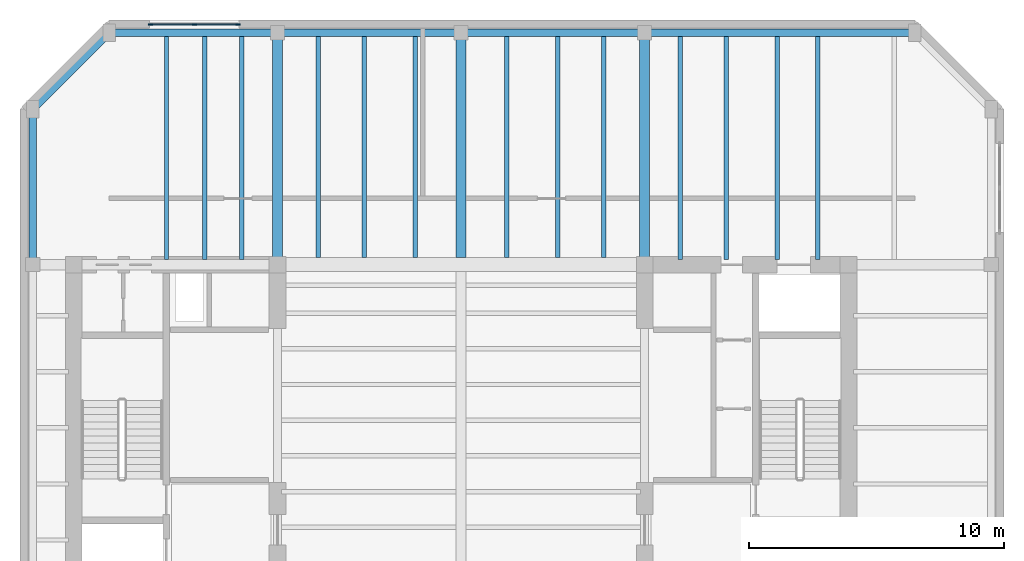
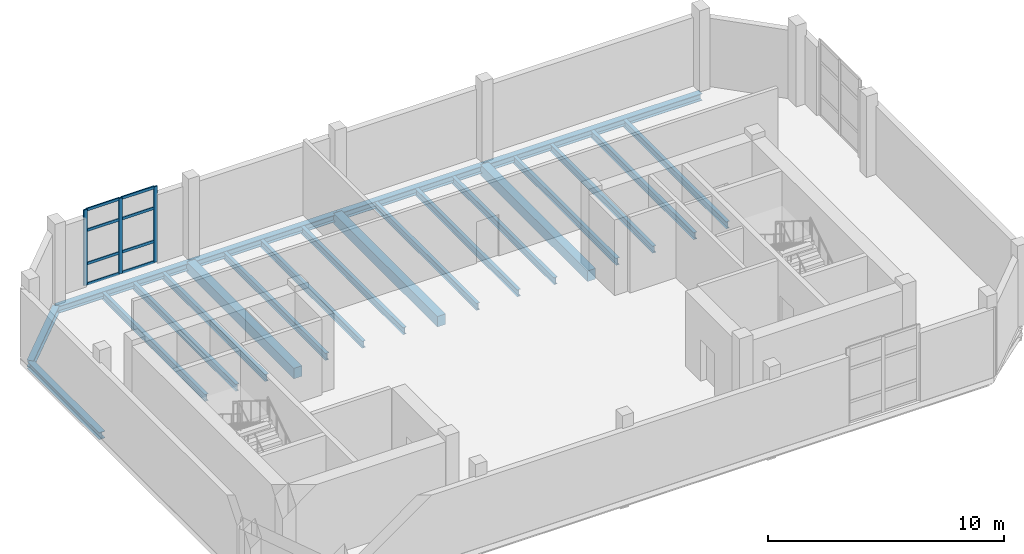
# One storey, part 3 of 7: 22 beams, 11 members, 1 element without a shape of its own.
"""IFC4 building model written with IfcOpenShell, lengths in metres."""

from ifc_helpers import new_model, si_unit, direction, frame, origin, origin_2d, place, context, subcontext, project, spatial, rectangle, i_section, extrude, material, layer, layer_set, material_profile, profile_set, type_object, element, aggregate, save


model = new_model("IFC4")

# Units and contexts
model_context = context("Model", 3, precision=1e-05, world=origin(), true_north=direction((0.0, 1.0)))
body_context = subcontext(model_context, "Body", "Model", "MODEL_VIEW")
ifc_project = project(units=[si_unit("LENGTHUNIT", "METRE"), si_unit("AREAUNIT", "SQUARE_METRE"), si_unit("VOLUMEUNIT", "CUBIC_METRE"), si_unit("PLANEANGLEUNIT", "RADIAN"), si_unit("MASSUNIT", "GRAM", prefix="KILO")], contexts=[model_context])

# Site, building, storey
site_placement = place(None, origin())
site = spatial("IfcSite", under=ifc_project, at=site_placement, CompositionType="ELEMENT")
building_placement = place(site_placement, origin())
building = spatial("IfcBuilding", under=site, at=building_placement, Name="Kranthara Brick Stack", CompositionType="ELEMENT")
storey_placement = place(building_placement, frame((0.0, 0.0, 296.39990234375)))
storey = spatial("IfcBuildingStorey", under=building, at=storey_placement, Name="L78", CompositionType="ELEMENT", Elevation=296.39990234375)

# Beams
ifc_material_1 = material(Name="Post-tensioned concrete C45/55", Category="concrete")
ifc_material_profile_1 = material_profile(ifc_material_1, rectangle(XDim=0.39990234375, YDim=0.550048828125, at=origin_2d()), Name="PT 400x550")
ifc_profile_set_1 = profile_set([ifc_material_profile_1], Name="Post-tensioned concrete C45/55")
beam_type_1 = type_object("IfcBeamType", Name="BM-FLR-PT550", PredefinedType="BEAM", material=ifc_profile_set_1)
beam_1_placement = place(storey_placement, frame((20.800048828125, 33.60009765625, -0.554931640625), z_axis=(0.0, 1.0, 0.0), x_axis=(-1.0, 0.0, 0.0)))
element("IfcBeam", 1, at=beam_1_placement, inside=storey, type_object=beam_type_1, Name="L78 Primary Grid Girder 022", PredefinedType="BEAM", context=body_context, shape_type="SweptSolid", body=[
    extrude(rectangle(XDim=0.39990234375, YDim=0.550048828125, at=origin_2d()), origin(), (0.0, 0.0, 1.0), 9.099853515625),
])
beam_2_placement = place(storey_placement, frame((28.0, 33.875, -0.554931640625), z_axis=(0.0, 1.0, 0.0), x_axis=(-1.0, 0.0, 0.0)))
element("IfcBeam", 2, at=beam_2_placement, inside=storey, type_object=beam_type_1, Name="L78 Primary Grid Girder 025", PredefinedType="BEAM", context=body_context, shape_type="SweptSolid", body=[
    extrude(rectangle(XDim=0.39990234375, YDim=0.550048828125, at=origin_2d()), origin(), (0.0, 0.0, 1.0), 8.824951171875),
])
beam_3_placement = place(storey_placement, frame((35.199951171875, 33.60009765625, -0.554931640625), z_axis=(0.0, 1.0, 0.0), x_axis=(-1.0, 0.0, 0.0)))
element("IfcBeam", 3, at=beam_3_placement, inside=storey, type_object=beam_type_1, Name="L78 Primary Grid Girder 027", PredefinedType="BEAM", context=body_context, shape_type="SweptSolid", body=[
    extrude(rectangle(XDim=0.39990234375, YDim=0.550048828125, at=origin_2d()), origin(), (0.0, 0.0, 1.0), 9.099853515625),
])
ifc_material_2 = material(Name="Steel S355", Category="steel")
ifc_material_profile_2 = material_profile(ifc_material_2, i_section(OverallWidth=0.169921875, OverallDepth=0.360107421875, WebThickness=0.008056640625, FlangeThickness=0.0126953125, at=origin_2d()), Name="IPE 360")
ifc_profile_set_2 = profile_set([ifc_material_profile_2], Name="Steel S355")
beam_type_2 = type_object("IfcBeamType", Name="BM-JST-IPE360", PredefinedType="JOIST", material=ifc_profile_set_2)
for number, where, z_axis, x_axis, name in (
    (4, (16.449951171875, 33.800048828125, -0.4599609375), (0.0, 1.0, 0.0), (-1.0, 0.0, 0.0), "L78 North Wing Floor Joist 051"),
    (5, (17.949951171875, 33.800048828125, -0.4599609375), (0.0, 1.0, 0.0), (-1.0, 0.0, 0.0), "L78 North Wing Floor Joist 053"),
    (6, (19.39990234375, 33.800048828125, -0.4599609375), (0.0, 1.0, 0.0), (-1.0, 0.0, 0.0), "L78 North Wing Floor Joist 055"),
):
    element("IfcBeam", number, at=place(storey_placement, frame(where, z_axis=z_axis, x_axis=x_axis)), inside=storey, type_object=beam_type_2, Name=name, PredefinedType="JOIST", context=body_context, shape_type="SweptSolid", body=[
        extrude(i_section(OverallWidth=0.169921875, OverallDepth=0.360107421875, WebThickness=0.008056640625, FlangeThickness=0.0126953125, at=origin_2d()), origin(), (0.0, 0.0, 1.0), 8.75),
    ])
for number, where, z_axis, x_axis, name in (
    (7, (22.39990234375, 33.875, -0.4599609375), (0.0, 1.0, 0.0), (-1.0, 0.0, 0.0), "L78 North Wing Floor Joist 057"),
    (8, (24.199951171875, 33.875, -0.4599609375), (0.0, 1.0, 0.0), (-1.0, 0.0, 0.0), "L78 North Wing Floor Joist 059"),
    (9, (26.199951171875, 33.875, -0.4599609375), (0.0, 1.0, 0.0), (-1.0, 0.0, 0.0), "L78 North Wing Floor Joist 061"),
    (10, (29.800048828125, 33.875, -0.4599609375), (0.0, 1.0, 0.0), (-1.0, 0.0, 0.0), "L78 North Wing Floor Joist 063"),
    (11, (31.800048828125, 33.875, -0.4599609375), (0.0, 1.0, 0.0), (-1.0, 0.0, 0.0), "L78 North Wing Floor Joist 065"),
    (12, (33.60009765625, 33.875, -0.4599609375), (0.0, 1.0, 0.0), (-1.0, 0.0, 0.0), "L78 North Wing Floor Joist 067"),
):
    element("IfcBeam", number, at=place(storey_placement, frame(where, z_axis=z_axis, x_axis=x_axis)), inside=storey, type_object=beam_type_2, Name=name, PredefinedType="JOIST", context=body_context, shape_type="SweptSolid", body=[
        extrude(i_section(OverallWidth=0.169921875, OverallDepth=0.360107421875, WebThickness=0.008056640625, FlangeThickness=0.0126953125, at=origin_2d()), origin(), (0.0, 0.0, 1.0), 8.675048828125),
    ])
for number, where, z_axis, x_axis, name in (
    (13, (36.60009765625, 33.800048828125, -0.4599609375), (0.0, 1.0, 0.0), (-1.0, 0.0, 0.0), "L78 North Wing Floor Joist 069"),
    (14, (38.39990234375, 33.800048828125, -0.4599609375), (0.0, 1.0, 0.0), (-1.0, 0.0, 0.0), "L78 North Wing Floor Joist 071"),
    (15, (40.39990234375, 33.800048828125, -0.4599609375), (0.0, 1.0, 0.0), (-1.0, 0.0, 0.0), "L78 North Wing Floor Joist 073"),
    (16, (42.0, 33.800048828125, -0.4599609375), (0.0, 1.0, 0.0), (-1.0, 0.0, 0.0), "L78 North Wing Floor Joist 075"),
):
    element("IfcBeam", number, at=place(storey_placement, frame(where, z_axis=z_axis, x_axis=x_axis)), inside=storey, type_object=beam_type_2, Name=name, PredefinedType="JOIST", context=body_context, shape_type="SweptSolid", body=[
        extrude(i_section(OverallWidth=0.169921875, OverallDepth=0.360107421875, WebThickness=0.008056640625, FlangeThickness=0.0126953125, at=origin_2d()), origin(), (0.0, 0.0, 1.0), 8.75),
    ])
ifc_material_3 = material(Name="Steel S355", Category="steel")
ifc_material_profile_3 = material_profile(ifc_material_3, i_section(OverallWidth=0.300048828125, OverallDepth=0.360107421875, WebThickness=0.012451171875, FlangeThickness=0.0224609375, at=origin_2d()), Name="HEB 360")
ifc_profile_set_3 = profile_set([ifc_material_profile_3], Name="Steel S355")
beam_type_3 = type_object("IfcBeamType", Name="BM-STL-HEB360", PredefinedType="SPANDREL", material=ifc_profile_set_3)
beam_4_placement = place(storey_placement, frame((14.199951171875, 42.699951171875, -0.4599609375), z_axis=(1.0, 0.0, 0.0), x_axis=(0.0, 1.0, 0.0)))
element("IfcBeam", 17, at=beam_4_placement, inside=storey, type_object=beam_type_3, Name="L78 Perimeter Spandrel Beam 009", PredefinedType="SPANDREL", context=body_context, shape_type="SweptSolid", body=[
    extrude(i_section(OverallWidth=0.300048828125, OverallDepth=0.360107421875, WebThickness=0.012451171875, FlangeThickness=0.0224609375, at=origin_2d()), origin(), (0.0, 0.0, 1.0), 6.60009765625),
])
for number, where, z_axis, x_axis, name in (
    (18, (20.800048828125, 42.699951171875, -0.4599609375), (1.0, 0.0, 0.0), (0.0, 1.0, 0.0), "L78 Perimeter Spandrel Beam 010"),
    (19, (28.0, 42.699951171875, -0.4599609375), (1.0, 0.0, 0.0), (0.0, 1.0, 0.0), "L78 Perimeter Spandrel Beam 011"),
):
    element("IfcBeam", number, at=place(storey_placement, frame(where, z_axis=z_axis, x_axis=x_axis)), inside=storey, type_object=beam_type_3, Name=name, PredefinedType="SPANDREL", context=body_context, shape_type="SweptSolid", body=[
        extrude(i_section(OverallWidth=0.300048828125, OverallDepth=0.360107421875, WebThickness=0.012451171875, FlangeThickness=0.0224609375, at=origin_2d()), origin(), (0.0, 0.0, 1.0), 7.199951171875),
    ])
beam_5_placement = place(storey_placement, frame((35.199951171875, 42.699951171875, -0.4599609375), z_axis=(1.0, 0.0, 0.0), x_axis=(0.0, 1.0, 0.0)))
element("IfcBeam", 20, at=beam_5_placement, inside=storey, type_object=beam_type_3, Name="L78 Perimeter Spandrel Beam 012", PredefinedType="SPANDREL", context=body_context, shape_type="SweptSolid", body=[
    extrude(i_section(OverallWidth=0.300048828125, OverallDepth=0.360107421875, WebThickness=0.012451171875, FlangeThickness=0.0224609375, at=origin_2d()), origin(), (0.0, 0.0, 1.0), 10.60009765625),
])
beam_6_placement = place(storey_placement, frame((11.199951171875, 33.60009765625, -0.4599609375), z_axis=(0.0, 1.0, 0.0), x_axis=(-1.0, 0.0, 0.0)))
element("IfcBeam", 21, at=beam_6_placement, inside=storey, type_object=beam_type_3, Name="L78 Perimeter Spandrel Beam 014", PredefinedType="SPANDREL", context=body_context, shape_type="SweptSolid", body=[
    extrude(i_section(OverallWidth=0.300048828125, OverallDepth=0.360107421875, WebThickness=0.012451171875, FlangeThickness=0.0224609375, at=origin_2d()), origin(), (0.0, 0.0, 1.0), 6.099853515625),
])
beam_7_placement = place(storey_placement, frame((14.199951171875, 42.699951171875, -0.4599609375), z_axis=(-0.707106781187, -0.707106781187, 0.0), x_axis=(0.707106781187, -0.707106781187, 0.0)))
element("IfcBeam", 22, at=beam_7_placement, inside=storey, type_object=beam_type_3, Name="L78 Chamfer Corner Spandrel 019", PredefinedType="SPANDREL", context=body_context, shape_type="SweptSolid", body=[
    extrude(i_section(OverallWidth=0.300048828125, OverallDepth=0.360107421875, WebThickness=0.012451171875, FlangeThickness=0.0224609375, at=origin_2d()), origin(), (0.0, 0.0, 1.0), 4.24267578125),
])

# Curtain wall, members
ifc_material_4 = material(Name="Bronze anodised aluminium and low-E glass", Category="aluminium")
ifc_layer = layer(ifc_material_4, 0.25)
ifc_layer_set = layer_set([ifc_layer], Name="Bronze anodised aluminium and low-E glass")
curtain_wall_type = type_object("IfcCurtainWallType", Name="CW-SYS6-CROWN", PredefinedType="USERDEFINED", material=ifc_layer_set)
curtain_wall_placement = place(storey_placement, origin())
curtain_wall = element("IfcCurtainWall", 23, at=curtain_wall_placement, inside=storey, type_object=curtain_wall_type, Name="L78 Curtain Wall CW6-L78-02", ObjectType="UNITISED CURTAIN WALL", PredefinedType="USERDEFINED")
ifc_material_5 = material(Name="Bronze anodised aluminium 6063-T6", Category="aluminium")
ifc_material_profile_4 = material_profile(ifc_material_5, rectangle(XDim=0.06494140625, YDim=0.179931640625, at=origin_2d()), Name="ALU MULLION 65x180")
ifc_profile_set_4 = profile_set([ifc_material_profile_4], Name="Bronze anodised aluminium 6063-T6")
member_type_1 = type_object("IfcMemberType", Name="CWM-65x180", PredefinedType="MULLION", material=ifc_profile_set_4)
member_1_placement = place(storey_placement, frame((15.820556640625, 43.030029296875, 0.0), z_axis=(0.0, 0.0, 1.0), x_axis=(0.0, 1.0, 0.0)))
member_1 = element("IfcMember", 24, at=member_1_placement, type_object=member_type_1, Name="CW mullion 1", PredefinedType="MULLION", context=body_context, shape_type="SweptSolid", body=[
    extrude(rectangle(XDim=0.06494140625, YDim=0.179931640625, at=origin_2d()), origin(), (0.0, 0.0, 1.0), 3.920166015625),
])
member_2_placement = place(storey_placement, frame((17.5380859375, 43.030029296875, 0.0), z_axis=(0.0, 0.0, 1.0), x_axis=(0.0, 1.0, 0.0)))
member_2 = element("IfcMember", 25, at=member_2_placement, type_object=member_type_1, Name="CW mullion 2", PredefinedType="MULLION", context=body_context, shape_type="SweptSolid", body=[
    extrude(rectangle(XDim=0.06494140625, YDim=0.179931640625, at=origin_2d()), origin(), (0.0, 0.0, 1.0), 3.920166015625),
])
member_3_placement = place(storey_placement, frame((19.255615234375, 43.030029296875, 0.0), z_axis=(0.0, 0.0, 1.0), x_axis=(0.0, 1.0, 0.0)))
member_3 = element("IfcMember", 26, at=member_3_placement, type_object=member_type_1, Name="CW mullion 3", PredefinedType="MULLION", context=body_context, shape_type="SweptSolid", body=[
    extrude(rectangle(XDim=0.06494140625, YDim=0.179931640625, at=origin_2d()), origin(), (0.0, 0.0, 1.0), 3.920166015625),
])
ifc_material_6 = material(Name="Bronze anodised aluminium 6063-T6", Category="aluminium")
ifc_material_profile_5 = material_profile(ifc_material_6, rectangle(XDim=0.06494140625, YDim=0.139892578125, at=origin_2d()), Name="ALU TRANSOM 65x140")
ifc_profile_set_5 = profile_set([ifc_material_profile_5], Name="Bronze anodised aluminium 6063-T6")
member_type_2 = type_object("IfcMemberType", Name="CWT-65x140", PredefinedType="USERDEFINED", material=ifc_profile_set_5)
member_4_placement = place(storey_placement, frame((15.85302734375, 43.030029296875, 0.03271484375), z_axis=(1.0, 0.0, 0.0), x_axis=(0.0, 1.0, 0.0)))
member_4 = element("IfcMember", 27, at=member_4_placement, type_object=member_type_2, Name="CW transom 1.1", ObjectType="TRANSOM", PredefinedType="USERDEFINED", context=body_context, shape_type="SweptSolid", body=[
    extrude(rectangle(XDim=0.06494140625, YDim=0.139892578125, at=origin_2d()), origin(), (0.0, 0.0, 1.0), 1.652587890625),
])
member_5_placement = place(storey_placement, frame((15.85302734375, 43.030029296875, 1.09765625), z_axis=(1.0, 0.0, 0.0), x_axis=(0.0, 1.0, 0.0)))
member_5 = element("IfcMember", 28, at=member_5_placement, type_object=member_type_2, Name="CW transom 1.2", ObjectType="TRANSOM", PredefinedType="USERDEFINED", context=body_context, shape_type="SweptSolid", body=[
    extrude(rectangle(XDim=0.06494140625, YDim=0.139892578125, at=origin_2d()), origin(), (0.0, 0.0, 1.0), 1.652587890625),
])
member_6_placement = place(storey_placement, frame((15.85302734375, 43.030029296875, 2.822509765625), z_axis=(1.0, 0.0, 0.0), x_axis=(0.0, 1.0, 0.0)))
member_6 = element("IfcMember", 29, at=member_6_placement, type_object=member_type_2, Name="CW transom 1.3", ObjectType="TRANSOM", PredefinedType="USERDEFINED", context=body_context, shape_type="SweptSolid", body=[
    extrude(rectangle(XDim=0.06494140625, YDim=0.139892578125, at=origin_2d()), origin(), (0.0, 0.0, 1.0), 1.652587890625),
])
member_7_placement = place(storey_placement, frame((15.85302734375, 43.030029296875, 3.8876953125), z_axis=(1.0, 0.0, 0.0), x_axis=(0.0, 1.0, 0.0)))
member_7 = element("IfcMember", 30, at=member_7_placement, type_object=member_type_2, Name="CW transom 1.4", ObjectType="TRANSOM", PredefinedType="USERDEFINED", context=body_context, shape_type="SweptSolid", body=[
    extrude(rectangle(XDim=0.06494140625, YDim=0.139892578125, at=origin_2d()), origin(), (0.0, 0.0, 1.0), 1.652587890625),
])
member_8_placement = place(storey_placement, frame((17.570556640625, 43.030029296875, 0.03271484375), z_axis=(1.0, 0.0, 0.0), x_axis=(0.0, 1.0, 0.0)))
member_8 = element("IfcMember", 31, at=member_8_placement, type_object=member_type_2, Name="CW transom 2.1", ObjectType="TRANSOM", PredefinedType="USERDEFINED", context=body_context, shape_type="SweptSolid", body=[
    extrude(rectangle(XDim=0.06494140625, YDim=0.139892578125, at=origin_2d()), origin(), (0.0, 0.0, 1.0), 1.65234375),
])
member_9_placement = place(storey_placement, frame((17.570556640625, 43.030029296875, 1.09765625), z_axis=(1.0, 0.0, 0.0), x_axis=(0.0, 1.0, 0.0)))
member_9 = element("IfcMember", 32, at=member_9_placement, type_object=member_type_2, Name="CW transom 2.2", ObjectType="TRANSOM", PredefinedType="USERDEFINED", context=body_context, shape_type="SweptSolid", body=[
    extrude(rectangle(XDim=0.06494140625, YDim=0.139892578125, at=origin_2d()), origin(), (0.0, 0.0, 1.0), 1.65234375),
])
member_10_placement = place(storey_placement, frame((17.570556640625, 43.030029296875, 2.822509765625), z_axis=(1.0, 0.0, 0.0), x_axis=(0.0, 1.0, 0.0)))
member_10 = element("IfcMember", 33, at=member_10_placement, type_object=member_type_2, Name="CW transom 2.3", ObjectType="TRANSOM", PredefinedType="USERDEFINED", context=body_context, shape_type="SweptSolid", body=[
    extrude(rectangle(XDim=0.06494140625, YDim=0.139892578125, at=origin_2d()), origin(), (0.0, 0.0, 1.0), 1.65234375),
])
member_11_placement = place(storey_placement, frame((17.570556640625, 43.030029296875, 3.8876953125), z_axis=(1.0, 0.0, 0.0), x_axis=(0.0, 1.0, 0.0)))
member_11 = element("IfcMember", 34, at=member_11_placement, type_object=member_type_2, Name="CW transom 2.4", ObjectType="TRANSOM", PredefinedType="USERDEFINED", context=body_context, shape_type="SweptSolid", body=[
    extrude(rectangle(XDim=0.06494140625, YDim=0.139892578125, at=origin_2d()), origin(), (0.0, 0.0, 1.0), 1.65234375),
])
aggregate(curtain_wall, [member_1, member_2, member_3, member_4, member_5, member_6, member_7, member_8, member_9, member_10, member_11])

save(model, "model.ifc")
